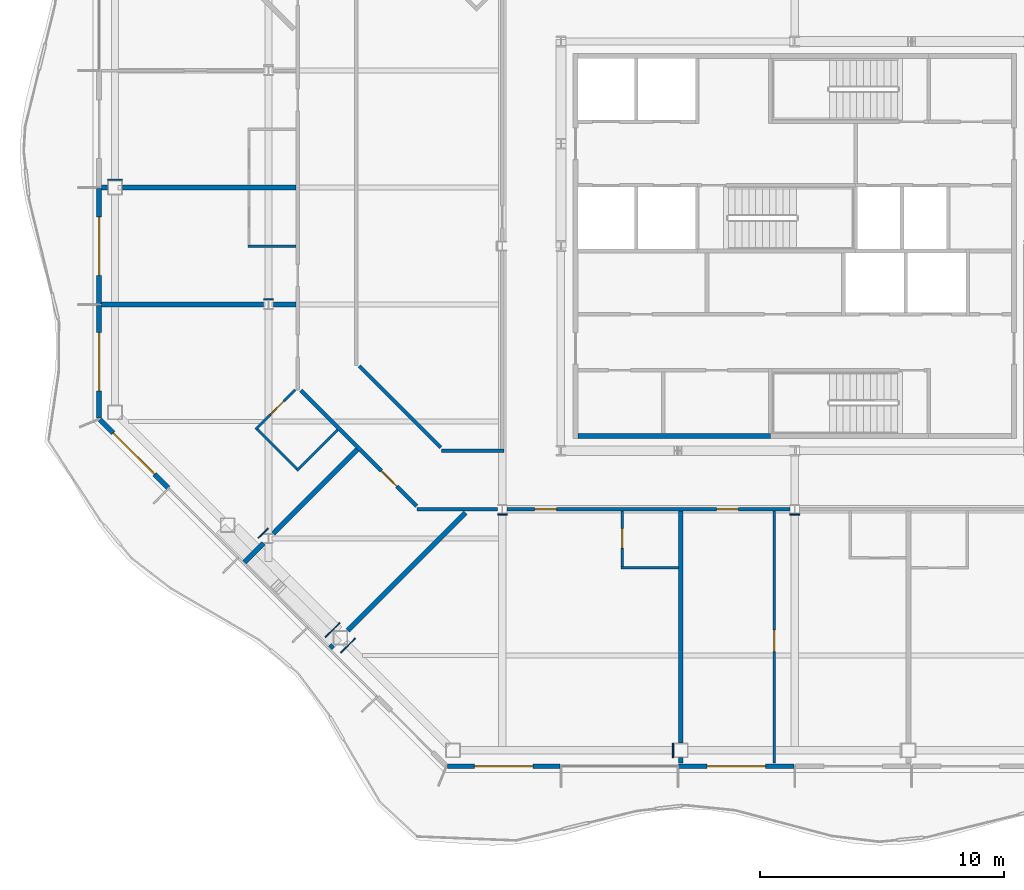
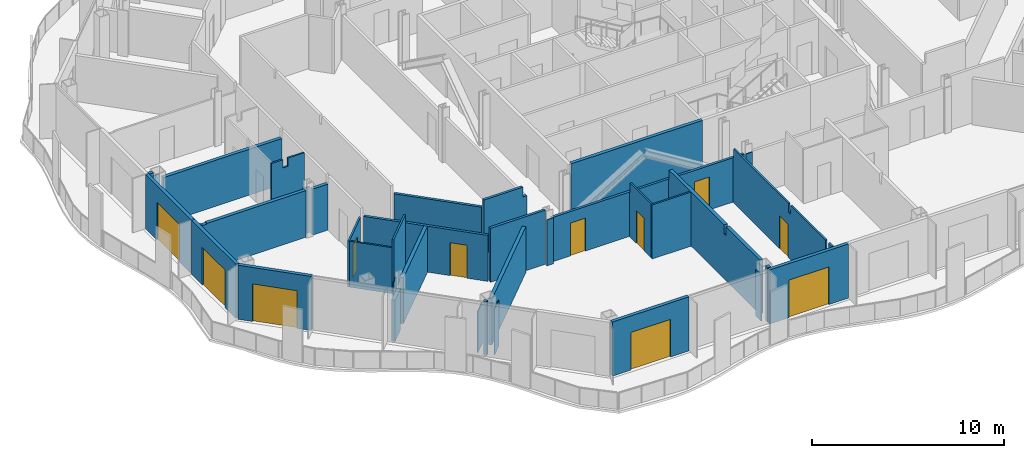
# One storey, part 7 of 20: 36 walls, 11 doors, 11 openings.
"""IFC4 building model written with IfcOpenShell, lengths in metres."""

from ifc_helpers import new_model, si_unit, direction, frame, frame_2d, origin, place, context, subcontext, project, spatial, polyline, rectangle, outline, extrude, material, layer, layer_set, type_object, element, fill, save


model = new_model("IFC4")

# Units and contexts
model_context = context("Model", 3, precision=1e-05, world=origin(), true_north=direction((0.0, 1.0)))
body_context = subcontext(model_context, "Body", "Model", "MODEL_VIEW")
ifc_project = project(units=[si_unit("LENGTHUNIT", "METRE"), si_unit("AREAUNIT", "SQUARE_METRE"), si_unit("VOLUMEUNIT", "CUBIC_METRE"), si_unit("PLANEANGLEUNIT", "RADIAN"), si_unit("MASSUNIT", "GRAM", prefix="KILO")], contexts=[model_context])

# Site, building, storey
site_placement = place(None, origin())
site = spatial("IfcSite", under=ifc_project, at=site_placement, CompositionType="ELEMENT")
building_placement = place(site_placement, origin())
building = spatial("IfcBuilding", under=site, at=building_placement, Name="Cairn Pilgrim Tower", CompositionType="ELEMENT")
storey_placement = place(building_placement, frame((0.0, 0.0, 165.0)))
storey = spatial("IfcBuildingStorey", under=building, at=storey_placement, Name="L41", CompositionType="ELEMENT", Elevation=165.0)

# Wall, opening, door
ifc_material_1 = material(Name="Bronze anodised aluminium insulated sandwich panel with mineral wool fill", Category="aluminium")
ifc_layer_1 = layer(ifc_material_1, 0.199951171875)
ifc_layer_set_1 = layer_set([ifc_layer_1], Name="BRONZE INFILL FRAME WALL 200")
wall_type_1 = type_object("IfcWallType", Name="BRONZE INFILL FRAME WALL 200", PredefinedType="NOTDEFINED", material=ifc_layer_set_1)
wall_1_placement = place(storey_placement, frame((-7.056396484375, -18.949951171875, 0.0), z_axis=(0.0, 0.0, 1.0), x_axis=(1.0, 0.0, 0.0)))
wall_1 = element("IfcWall", 1, at=wall_1_placement, inside=storey, type_object=wall_type_1, Name="Bronze infill frame wall IW-S1", PredefinedType="NOTDEFINED", context=body_context, shape_type="SweptSolid", body=[
    extrude(rectangle(XDim=4.62646484375, YDim=0.199951171875, at=frame_2d((2.313232421875, 0.0))), origin(), (0.0, 0.0, 1.0), 3.449951171875),
])
opening_1_placement = place(wall_1_placement, frame((1.1083984375, 0.0, 0.0)))
opening_1 = element("IfcOpeningElement", 2, at=opening_1_placement, cuts=wall_1, Name="Opening 4121B2", PredefinedType="OPENING", context=body_context, shape_type="SweptSolid", body=[
    extrude(rectangle(XDim=2.39990234375, YDim=2.39990234375, at=frame_2d((1.199951171875, 1.199951171875))), frame((0.0, 0.10986328125, 0.0), z_axis=(0.0, -1.0, 0.0), x_axis=(1.0, 0.0, 0.0)), (0.0, 0.0, 1.0), 0.219970703125),
])
ifc_material_2 = material(Name="Bronze anodised aluminium frame with tinted low-E glass", Category="aluminium")
door_type_1 = type_object("IfcDoorType", Name="BALCONY SLIDING DOOR 2400x2400", OperationType="DOUBLE_DOOR_SLIDING", PredefinedType="DOOR", material=ifc_material_2)
door_1_placement = place(opening_1_placement, origin())
door_1 = element("IfcDoor", 3, at=door_1_placement, inside=storey, type_object=door_type_1, Name="Balcony sliding door 4121B2", OperationType="SINGLE_SWING_LEFT", OverallHeight=2.39990234375, OverallWidth=2.39990234375, PredefinedType="DOOR", context=body_context, shape_type="SweptSolid", body=[
    extrude(rectangle(XDim=2.39990234375, YDim=2.39990234375, at=frame_2d((1.199951171875, 1.199951171875))), frame((0.0, 0.02490234375, 0.0), z_axis=(0.0, -1.0, 0.0), x_axis=(1.0, 0.0, 0.0)), (0.0, 0.0, 1.0), 0.050048828125),
])
fill(opening_1, door_1)

wall_2_placement = place(storey_placement, frame((2.429931640625, -18.949951171875, 0.0), z_axis=(0.0, 0.0, 1.0), x_axis=(1.0, 0.0, 0.0)))
wall_2 = element("IfcWall", 4, at=wall_2_placement, inside=storey, type_object=wall_type_1, Name="Bronze infill frame wall IW-S3", PredefinedType="NOTDEFINED", context=body_context, shape_type="SweptSolid", body=[
    extrude(rectangle(XDim=4.739990234375, YDim=0.199951171875, at=frame_2d((2.3701171875, 0.0))), origin(), (0.0, 0.0, 1.0), 3.449951171875),
])
opening_2_placement = place(wall_2_placement, frame((1.17041015625, 0.0, 0.0)))
opening_2 = element("IfcOpeningElement", 5, at=opening_2_placement, cuts=wall_2, Name="Opening 4122B", PredefinedType="OPENING", context=body_context, shape_type="SweptSolid", body=[
    extrude(rectangle(XDim=2.39990234375, YDim=2.39990234375, at=frame_2d((1.199951171875, 1.199951171875))), frame((0.0, 0.10986328125, 0.0), z_axis=(0.0, -1.0, 0.0), x_axis=(1.0, 0.0, 0.0)), (0.0, 0.0, 1.0), 0.219970703125),
])
door_2_placement = place(opening_2_placement, origin())
door_2 = element("IfcDoor", 6, at=door_2_placement, inside=storey, type_object=door_type_1, Name="Balcony sliding door 4122B", OperationType="SINGLE_SWING_LEFT", OverallHeight=2.39990234375, OverallWidth=2.39990234375, PredefinedType="DOOR", context=body_context, shape_type="SweptSolid", body=[
    extrude(rectangle(XDim=2.39990234375, YDim=2.39990234375, at=frame_2d((1.199951171875, 1.199951171875))), frame((0.0, 0.02490234375, 0.0), z_axis=(0.0, -1.0, 0.0), x_axis=(1.0, 0.0, 0.0)), (0.0, 0.0, 1.0), 0.050048828125),
])
fill(opening_2, door_2)

wall_3_placement = place(storey_placement, frame((-21.35009765625, 4.77001953125, 0.0), z_axis=(0.0, 0.0, 1.0), x_axis=(0.0, -1.0, 0.0)))
wall_3 = element("IfcWall", 7, at=wall_3_placement, inside=storey, type_object=wall_type_1, Name="Bronze infill frame wall IW-W3", PredefinedType="NOTDEFINED", context=body_context, shape_type="SweptSolid", body=[
    extrude(rectangle(XDim=4.739990234375, YDim=0.199951171875, at=frame_2d((2.3701171875, 0.0))), origin(), (0.0, 0.0, 1.0), 3.449951171875),
])
opening_3_placement = place(wall_3_placement, frame((1.169921875, 0.0, 0.0)))
opening_3 = element("IfcOpeningElement", 8, at=opening_3_placement, cuts=wall_3, Name="Opening 4118B", PredefinedType="OPENING", context=body_context, shape_type="SweptSolid", body=[
    extrude(rectangle(XDim=2.39990234375, YDim=2.39990234375, at=frame_2d((1.199951171875, 1.199951171875))), frame((0.0, 0.10986328125, 0.0), z_axis=(0.0, -1.0, 0.0), x_axis=(1.0, 0.0, 0.0)), (0.0, 0.0, 1.0), 0.219970703125),
])
door_3_placement = place(opening_3_placement, origin())
door_3 = element("IfcDoor", 9, at=door_3_placement, inside=storey, type_object=door_type_1, Name="Balcony sliding door 4118B", OperationType="SINGLE_SWING_LEFT", OverallHeight=2.39990234375, OverallWidth=2.39990234375, PredefinedType="DOOR", context=body_context, shape_type="SweptSolid", body=[
    extrude(rectangle(XDim=2.39990234375, YDim=2.39990234375, at=frame_2d((1.199951171875, 1.199951171875))), frame((0.0, 0.02490234375, 0.0), z_axis=(0.0, -1.0, 0.0), x_axis=(1.0, 0.0, 0.0)), (0.0, 0.0, 1.0), 0.050048828125),
])
fill(opening_3, door_3)

wall_4_placement = place(storey_placement, frame((-21.35009765625, -0.030029296875, 0.0), z_axis=(0.0, 0.0, 1.0), x_axis=(0.0, -1.0, 0.0)))
wall_4 = element("IfcWall", 10, at=wall_4_placement, inside=storey, type_object=wall_type_1, Name="Bronze infill frame wall IW-W4", PredefinedType="NOTDEFINED", context=body_context, shape_type="SweptSolid", body=[
    extrude(rectangle(XDim=4.62646484375, YDim=0.199951171875, at=frame_2d((2.313232421875, 0.0))), origin(), (0.0, 0.0, 1.0), 3.449951171875),
])
opening_4_placement = place(wall_4_placement, frame((1.117919921875, 0.0, 0.0)))
opening_4 = element("IfcOpeningElement", 11, at=opening_4_placement, cuts=wall_4, Name="Opening 4119B", PredefinedType="OPENING", context=body_context, shape_type="SweptSolid", body=[
    extrude(rectangle(XDim=2.39990234375, YDim=2.39990234375, at=frame_2d((1.199951171875, 1.199951171875))), frame((0.0, 0.10986328125, 0.0), z_axis=(0.0, -1.0, 0.0), x_axis=(1.0, 0.0, 0.0)), (0.0, 0.0, 1.0), 0.219970703125),
])
door_4_placement = place(opening_4_placement, origin())
door_4 = element("IfcDoor", 12, at=door_4_placement, inside=storey, type_object=door_type_1, Name="Balcony sliding door 4119B", OperationType="SINGLE_SWING_LEFT", OverallHeight=2.39990234375, OverallWidth=2.39990234375, PredefinedType="DOOR", context=body_context, shape_type="SweptSolid", body=[
    extrude(rectangle(XDim=2.39990234375, YDim=2.39990234375, at=frame_2d((1.199951171875, 1.199951171875))), frame((0.0, 0.02490234375, 0.0), z_axis=(0.0, -1.0, 0.0), x_axis=(1.0, 0.0, 0.0)), (0.0, 0.0, 1.0), 0.050048828125),
])
fill(opening_4, door_4)

wall_5_placement = place(storey_placement, frame((-21.32177734375, -4.724609375, 0.0), z_axis=(0.0, 0.0, 1.0), x_axis=(0.707106781187, -0.707106781187, 0.0)))
wall_5 = element("IfcWall", 13, at=wall_5_placement, inside=storey, type_object=wall_type_1, Name="Bronze infill frame wall IW-SW1", PredefinedType="NOTDEFINED", context=body_context, shape_type="SweptSolid", body=[
    extrude(rectangle(XDim=3.961669921875, YDim=0.199951171875, at=frame_2d((1.98095703125, 0.0))), origin(), (0.0, 0.0, 1.0), 3.449951171875),
])
opening_5_placement = place(wall_5_placement, frame((0.775390625, 0.0, 0.0)))
opening_5 = element("IfcOpeningElement", 14, at=opening_5_placement, cuts=wall_5, Name="Opening 4119B2", PredefinedType="OPENING", context=body_context, shape_type="SweptSolid", body=[
    extrude(rectangle(XDim=2.39990234375, YDim=2.39990234375, at=frame_2d((1.199951171875, 1.199951171875))), frame((0.0, 0.10986328125, 0.0), z_axis=(0.0, -1.0, 0.0), x_axis=(1.0, 0.0, 0.0)), (0.0, 0.0, 1.0), 0.219970703125),
])
door_5_placement = place(opening_5_placement, origin())
door_5 = element("IfcDoor", 15, at=door_5_placement, inside=storey, type_object=door_type_1, Name="Balcony sliding door 4119B2", OperationType="SINGLE_SWING_LEFT", OverallHeight=2.39990234375, OverallWidth=2.39990234375, PredefinedType="DOOR", context=body_context, shape_type="SweptSolid", body=[
    extrude(rectangle(XDim=2.39990234375, YDim=2.39990234375, at=frame_2d((1.199951171875, 1.199951171875))), frame((0.0, 0.02490234375, 0.0), z_axis=(0.0, -1.0, 0.0), x_axis=(1.0, 0.0, 0.0)), (0.0, 0.0, 1.0), 0.050048828125),
])
fill(opening_5, door_5)

# Wall
ifc_material_3 = material(Name="Concrete C32/40", Category="concrete")
ifc_layer_2 = layer(ifc_material_3, 0.199951171875)
ifc_layer_set_2 = layer_set([ifc_layer_2], Name="CORE OUTER WALL 200 EI 120")
wall_type_2 = type_object("IfcWallType", Name="CORE OUTER WALL 200 EI 120", PredefinedType="SOLIDWALL", material=ifc_layer_set_2)
wall_6_placement = place(storey_placement, frame((-1.699951171875, -5.39990234375, 0.0), z_axis=(0.0, 0.0, 1.0), x_axis=(1.0, 0.0, 0.0)))
element("IfcWall", 16, at=wall_6_placement, inside=storey, type_object=wall_type_2, Name="CW:L41:H01-1", PredefinedType="SOLIDWALL", context=body_context, shape_type="SweptSolid", body=[
    extrude(rectangle(XDim=7.89990234375, YDim=0.199951171875, at=frame_2d((3.949951171875, 0.0))), origin(), (0.0, 0.0, 1.0), 3.449951171875),
])

# Wall, opening, door
ifc_material_4 = material(Name="Gypsum partition")
ifc_layer_3 = layer(ifc_material_4, 0.10009765625)
ifc_layer_set_3 = layer_set([ifc_layer_3], Name="PARTITION 100 DRYWALL")
wall_type_3 = type_object("IfcWallType", Name="PARTITION 100 DRYWALL", PredefinedType="PARTITIONING", material=ifc_layer_set_3)
wall_7_placement = place(storey_placement, frame((6.35791015625, -18.820068359375, 0.0), z_axis=(0.0, 0.0, 1.0), x_axis=(0.0, 1.0, 0.0)))
wall_7 = element("IfcWall", 17, at=wall_7_placement, inside=storey, type_object=wall_type_3, Name="PARTITION W002", PredefinedType="PARTITIONING", context=body_context, shape_type="SweptSolid", body=[
    extrude(outline(polyline([(0.0, 0.0), (10.344970703125, 0.0), (10.344970703125, 2.830078125), (10.27001953125, 2.830078125), (10.26806640625, 3.449951171875), (4.52490234375, 3.449951171875), (4.52294921875, 2.8798828125), (4.31494140625, 2.8798828125), (4.31298828125, 3.449951171875), (0.669921875, 3.449951171875), (0.66796875, 2.929931640625), (0.3701171875, 2.929931640625), (0.367919921875, 3.449951171875), (0.0, 3.449951171875), (0.0, 0.0)])), frame((0.0, 0.050048828125, 0.0), z_axis=(0.0, -1.0, 0.0), x_axis=(1.0, 0.0, 0.0)), (0.0, 0.0, 1.0), 0.10009765625),
])
opening_6_placement = place(wall_7_placement, frame((4.570068359375, 0.0, 0.0)))
opening_6 = element("IfcOpeningElement", 18, at=opening_6_placement, cuts=wall_7, Name="Opening 4122C", PredefinedType="OPENING", context=body_context, shape_type="SweptSolid", body=[
    extrude(rectangle(XDim=0.89990234375, YDim=2.10009765625, at=frame_2d((0.449951171875, 1.050048828125))), frame((0.0, 0.06005859375, 0.0), z_axis=(0.0, -1.0, 0.0), x_axis=(1.0, 0.0, 0.0)), (0.0, 0.0, 1.0), 0.1201171875),
])
ifc_material_5 = material(Name="Timber door leaf", Category="wood")
door_type_2 = type_object("IfcDoorType", Name="SERVICE DOOR 900x2100", OperationType="NOTDEFINED", PredefinedType="DOOR", material=ifc_material_5)
door_6_placement = place(opening_6_placement, origin())
door_6 = element("IfcDoor", 19, at=door_6_placement, inside=storey, type_object=door_type_2, Name="DOOR 4122C", OperationType="SINGLE_SWING_RIGHT", OverallHeight=2.10009765625, OverallWidth=0.89990234375, PredefinedType="DOOR", context=body_context, shape_type="SweptSolid", body=[
    extrude(rectangle(XDim=0.89990234375, YDim=2.10009765625, at=frame_2d((0.449951171875, 1.050048828125))), frame((0.0, 0.02490234375, 0.0), z_axis=(0.0, -1.0, 0.0), x_axis=(1.0, 0.0, 0.0)), (0.0, 0.0, 1.0), 0.050048828125),
])
fill(opening_6, door_6)

# Wall
wall_8_placement = place(storey_placement, frame((0.073974609375, -10.800048828125, 0.0), z_axis=(0.0, 0.0, 1.0), x_axis=(1.0, 0.0, 0.0)))
element("IfcWall", 20, at=wall_8_placement, inside=storey, type_object=wall_type_3, Name="PARTITION W011", PredefinedType="PARTITIONING", context=body_context, shape_type="SweptSolid", body=[
    extrude(rectangle(XDim=2.35009765625, YDim=0.10009765625, at=frame_2d((1.175048828125, 0.0))), origin(), (0.0, 0.0, 1.0), 3.449951171875),
])

# Wall, opening, door
wall_9_placement = place(storey_placement, frame((0.1240234375, -10.75, 0.0), z_axis=(0.0, 0.0, 1.0), x_axis=(0.0, 1.0, 0.0)))
wall_9 = element("IfcWall", 21, at=wall_9_placement, inside=storey, type_object=wall_type_3, Name="PARTITION W012", PredefinedType="PARTITIONING", context=body_context, shape_type="SweptSolid", body=[
    extrude(outline(polyline([(0.0, 0.0), (2.27490234375, 0.0), (2.27490234375, 2.830078125), (2.199951171875, 2.830078125), (2.197998046875, 3.449951171875), (0.0, 3.449951171875), (0.0, 0.0)])), frame((0.0, 0.050048828125, 0.0), z_axis=(0.0, -1.0, 0.0), x_axis=(1.0, 0.0, 0.0)), (0.0, 0.0, 1.0), 0.10009765625),
])
opening_7_placement = place(wall_9_placement, frame((0.75, 0.0, 0.0)))
opening_7 = element("IfcOpeningElement", 22, at=opening_7_placement, cuts=wall_9, Name="Opening 4121A", PredefinedType="OPENING", context=body_context, shape_type="SweptSolid", body=[
    extrude(rectangle(XDim=0.800048828125, YDim=2.10009765625, at=frame_2d((0.39990234375, 1.050048828125))), frame((0.0, 0.06005859375, 0.0), z_axis=(0.0, -1.0, 0.0), x_axis=(1.0, 0.0, 0.0)), (0.0, 0.0, 1.0), 0.1201171875),
])
door_type_3 = type_object("IfcDoorType", Name="WC DOOR 800x2100", OperationType="NOTDEFINED", PredefinedType="DOOR", material=ifc_material_5)
door_7_placement = place(opening_7_placement, origin())
door_7 = element("IfcDoor", 23, at=door_7_placement, inside=storey, type_object=door_type_3, Name="DOOR 4121A", OperationType="SINGLE_SWING_RIGHT", OverallHeight=2.10009765625, OverallWidth=0.800048828125, PredefinedType="DOOR", context=body_context, shape_type="SweptSolid", body=[
    extrude(rectangle(XDim=0.800048828125, YDim=2.10009765625, at=frame_2d((0.39990234375, 1.050048828125))), frame((0.0, 0.02490234375, 0.0), z_axis=(0.0, -1.0, 0.0), x_axis=(1.0, 0.0, 0.0)), (0.0, 0.0, 1.0), 0.050048828125),
])
fill(opening_7, door_7)

# Walls
wall_10_placement = place(storey_placement, frame((-13.2353515625, -6.752685546875, 0.0), z_axis=(0.0, 0.0, 1.0), x_axis=(-0.707106781187, 0.707106781187, 0.0)))
element("IfcWall", 24, at=wall_10_placement, inside=storey, type_object=wall_type_3, Name="PARTITION W028", PredefinedType="PARTITIONING", context=body_context, shape_type="SweptSolid", body=[
    extrude(rectangle(XDim=2.2998046875, YDim=0.10009765625, at=frame_2d((1.14990234375, 0.0))), origin(), (0.0, 0.0, 1.0), 2.929931640625),
])
wall_11_placement = place(storey_placement, frame((-13.2353515625, -6.823486328125, 0.0), z_axis=(0.0, 0.0, 1.0), x_axis=(0.707106781187, 0.707106781187, 0.0)))
element("IfcWall", 25, at=wall_11_placement, inside=storey, type_object=wall_type_3, Name="PARTITION W029", PredefinedType="PARTITIONING", context=body_context, shape_type="SweptSolid", body=[
    extrude(rectangle(XDim=2.375, YDim=0.10009765625, at=frame_2d((1.1875, 0.0))), origin(), (0.0, 0.0, 1.0), 3.449951171875),
])

# Wall, opening, door
wall_12_placement = place(storey_placement, frame((-14.932373046875, -5.12646484375, 0.0), z_axis=(0.0, 0.0, 1.0), x_axis=(0.707106781187, 0.707106781187, 0.0)))
wall_12 = element("IfcWall", 26, at=wall_12_placement, inside=storey, type_object=wall_type_3, Name="PARTITION W036", PredefinedType="PARTITIONING", context=body_context, shape_type="SweptSolid", body=[
    extrude(rectangle(XDim=2.2939453125, YDim=0.10009765625, at=frame_2d((1.14697265625, 0.0))), origin(), (0.0, 0.0, 1.0), 2.929931640625),
])
opening_8_placement = place(wall_12_placement, frame((0.849853515625, 0.0, 0.0)))
opening_8 = element("IfcOpeningElement", 27, at=opening_8_placement, cuts=wall_12, Name="Opening 4119A", PredefinedType="OPENING", context=body_context, shape_type="SweptSolid", body=[
    extrude(rectangle(XDim=0.800048828125, YDim=2.10009765625, at=frame_2d((0.39990234375, 1.050048828125))), frame((0.0, 0.06005859375, 0.0), z_axis=(0.0, -1.0, 0.0), x_axis=(1.0, 0.0, 0.0)), (0.0, 0.0, 1.0), 0.1201171875),
])
door_8_placement = place(opening_8_placement, origin())
door_8 = element("IfcDoor", 28, at=door_8_placement, inside=storey, type_object=door_type_3, Name="DOOR 4119A", OperationType="SINGLE_SWING_LEFT", OverallHeight=2.10009765625, OverallWidth=0.800048828125, PredefinedType="DOOR", context=body_context, shape_type="SweptSolid", body=[
    extrude(rectangle(XDim=0.800048828125, YDim=2.10009765625, at=frame_2d((0.39990234375, 1.050048828125))), frame((0.0, 0.02490234375, 0.0), z_axis=(0.0, -1.0, 0.0), x_axis=(1.0, 0.0, 0.0)), (0.0, 0.0, 1.0), 0.050048828125),
])
fill(opening_8, door_8)

# Walls
wall_13_placement = place(storey_placement, frame((-15.25, 2.39990234375, 0.0), z_axis=(0.0, 0.0, 1.0), x_axis=(1.0, 0.0, 0.0)))
element("IfcWall", 29, at=wall_13_placement, inside=storey, type_object=wall_type_3, Name="PARTITION W047", PredefinedType="PARTITIONING", context=body_context, shape_type="SweptSolid", body=[
    extrude(outline(polyline([(0.0, 0.0), (1.97509765625, 0.0), (1.97509765625, 3.449951171875), (1.0, 3.449951171875), (0.998046875, 2.929931640625), (0.699951171875, 2.929931640625), (0.697998046875, 3.449951171875), (0.0, 3.449951171875), (0.0, 0.0)])), frame((0.0, 0.050048828125, 0.0), z_axis=(0.0, -1.0, 0.0), x_axis=(1.0, 0.0, 0.0)), (0.0, 0.0, 1.0), 0.10009765625),
])
ifc_layer_4 = layer(ifc_material_4, 0.14990234375)
ifc_layer_set_4 = layer_set([ifc_layer_4], Name="PARTITION 150 DRYWALL EI 60")
wall_type_4 = type_object("IfcWallType", Name="PARTITION 150 DRYWALL EI 60", PredefinedType="PARTITIONING", material=ifc_layer_set_4)
wall_14_placement = place(storey_placement, frame((-8.300048828125, -8.39990234375, 0.0), z_axis=(0.0, 0.0, 1.0), x_axis=(1.0, 0.0, 0.0)))
element("IfcWall", 30, at=wall_14_placement, inside=storey, type_object=wall_type_4, Name="PARTITION W021", PredefinedType="PARTITIONING", context=body_context, shape_type="SweptSolid", body=[
    extrude(rectangle(XDim=3.300537109375, YDim=0.14990234375, at=frame_2d((1.650390625, 0.0))), origin(), (0.0, 0.0, 1.0), 3.449951171875),
])

# Wall, openings, doors
wall_15_placement = place(storey_placement, frame((-4.6005859375, -8.39990234375, 0.0), z_axis=(0.0, 0.0, 1.0), x_axis=(1.0, 0.0, 0.0)))
wall_15 = element("IfcWall", 31, at=wall_15_placement, inside=storey, type_object=wall_type_4, Name="PARTITION W022", PredefinedType="PARTITIONING", context=body_context, shape_type="SweptSolid", body=[
    extrude(rectangle(XDim=11.60107421875, YDim=0.14990234375, at=frame_2d((5.800537109375, 0.0))), origin(), (0.0, 0.0, 1.0), 2.830078125),
])
opening_9_placement = place(wall_15_placement, frame((1.12451171875, 0.0, 0.0)))
opening_9 = element("IfcOpeningElement", 32, at=opening_9_placement, cuts=wall_15, Name="Opening 4121", PredefinedType="OPENING", context=body_context, shape_type="SweptSolid", body=[
    extrude(rectangle(XDim=0.89990234375, YDim=2.10009765625, at=frame_2d((0.449951171875, 1.050048828125))), frame((0.0, 0.0849609375, 0.0), z_axis=(0.0, -1.0, 0.0), x_axis=(1.0, 0.0, 0.0)), (0.0, 0.0, 1.0), 0.169921875),
])
opening_10_placement = place(wall_15_placement, frame((8.591552734375, 0.0, 0.0)))
opening_10 = element("IfcOpeningElement", 33, at=opening_10_placement, cuts=wall_15, Name="Opening 4122", PredefinedType="OPENING", context=body_context, shape_type="SweptSolid", body=[
    extrude(rectangle(XDim=0.89990234375, YDim=2.10009765625, at=frame_2d((0.449951171875, 1.050048828125))), frame((0.0, 0.0849609375, 0.0), z_axis=(0.0, -1.0, 0.0), x_axis=(1.0, 0.0, 0.0)), (0.0, 0.0, 1.0), 0.169921875),
])
door_type_4 = type_object("IfcDoorType", Name="ROOM DOOR 900x2100 FD30S", OperationType="NOTDEFINED", PredefinedType="DOOR", material=ifc_material_5)
door_9_placement = place(opening_9_placement, frame((0.89990234375, 0.0, 0.0), z_axis=(0.0, 0.0, 1.0), x_axis=(-1.0, 0.0, 0.0)))
door_9 = element("IfcDoor", 34, at=door_9_placement, inside=storey, type_object=door_type_4, Name="DOOR 4121", OperationType="SINGLE_SWING_RIGHT", OverallHeight=2.10009765625, OverallWidth=0.89990234375, PredefinedType="DOOR", context=body_context, shape_type="SweptSolid", body=[
    extrude(rectangle(XDim=0.89990234375, YDim=2.10009765625, at=frame_2d((0.449951171875, 1.050048828125))), frame((0.0, 0.02490234375, 0.0), z_axis=(0.0, -1.0, 0.0), x_axis=(1.0, 0.0, 0.0)), (0.0, 0.0, 1.0), 0.050048828125),
])
fill(opening_9, door_9)
door_10_placement = place(opening_10_placement, frame((0.89990234375, 0.0, 0.0), z_axis=(0.0, 0.0, 1.0), x_axis=(-1.0, 0.0, 0.0)))
door_10 = element("IfcDoor", 35, at=door_10_placement, inside=storey, type_object=door_type_4, Name="DOOR 4122", OperationType="SINGLE_SWING_RIGHT", OverallHeight=2.10009765625, OverallWidth=0.89990234375, PredefinedType="DOOR", context=body_context, shape_type="SweptSolid", body=[
    extrude(rectangle(XDim=0.89990234375, YDim=2.10009765625, at=frame_2d((0.449951171875, 1.050048828125))), frame((0.0, 0.02490234375, 0.0), z_axis=(0.0, -1.0, 0.0), x_axis=(1.0, 0.0, 0.0)), (0.0, 0.0, 1.0), 0.050048828125),
])
fill(opening_10, door_10)

# Wall, opening, door
wall_16_placement = place(storey_placement, frame((-8.322021484375, -8.27197265625, 0.0), z_axis=(0.0, 0.0, 1.0), x_axis=(-0.707106781187, 0.707106781187, 0.0)))
wall_16 = element("IfcWall", 36, at=wall_16_placement, inside=storey, type_object=wall_type_4, Name="PARTITION W025", PredefinedType="PARTITIONING", context=body_context, shape_type="SweptSolid", body=[
    extrude(rectangle(XDim=6.717529296875, YDim=0.14990234375, at=frame_2d((3.35888671875, 0.0))), origin(), (0.0, 0.0, 1.0), 2.929931640625),
])
opening_11_placement = place(wall_16_placement, frame((1.138916015625, 0.0, 0.0)))
opening_11 = element("IfcOpeningElement", 37, at=opening_11_placement, cuts=wall_16, Name="Opening 4120", PredefinedType="OPENING", context=body_context, shape_type="SweptSolid", body=[
    extrude(rectangle(XDim=0.89990234375, YDim=2.10009765625, at=frame_2d((0.449951171875, 1.050048828125))), frame((0.0, 0.0849609375, 0.0), z_axis=(0.0, -1.0, 0.0), x_axis=(1.0, 0.0, 0.0)), (0.0, 0.0, 1.0), 0.169921875),
])
door_type_5 = type_object("IfcDoorType", Name="SERVICE DOOR 900x2100 FD30S", OperationType="NOTDEFINED", PredefinedType="DOOR", material=ifc_material_5)
door_11_placement = place(opening_11_placement, origin())
door_11 = element("IfcDoor", 38, at=door_11_placement, inside=storey, type_object=door_type_5, Name="DOOR 4120", OperationType="SINGLE_SWING_RIGHT", OverallHeight=2.10009765625, OverallWidth=0.89990234375, PredefinedType="DOOR", context=body_context, shape_type="SweptSolid", body=[
    extrude(rectangle(XDim=0.89990234375, YDim=2.10009765625, at=frame_2d((0.449951171875, 1.050048828125))), frame((0.0, 0.02490234375, 0.0), z_axis=(0.0, -1.0, 0.0), x_axis=(1.0, 0.0, 0.0)), (0.0, 0.0, 1.0), 0.050048828125),
])
fill(opening_11, door_11)

# Walls
wall_17_placement = place(storey_placement, frame((-7.30615234375, -6.0, 0.0), z_axis=(0.0, 0.0, 1.0), x_axis=(1.0, 0.0, 0.0)))
element("IfcWall", 39, at=wall_17_placement, inside=storey, type_object=wall_type_4, Name="PARTITION W030", PredefinedType="PARTITIONING", context=body_context, shape_type="SweptSolid", body=[
    extrude(outline(polyline([(0.0, 0.0), (2.5810546875, 0.0), (2.5810546875, 2.830078125), (2.356201171875, 2.830078125), (2.35400390625, 3.449951171875), (0.0, 3.449951171875), (0.0, 0.0)])), frame((0.0, 0.074951171875, 0.0), z_axis=(0.0, -1.0, 0.0), x_axis=(1.0, 0.0, 0.0)), (0.0, 0.0, 1.0), 0.14990234375),
])
wall_18_placement = place(storey_placement, frame((-7.327880859375, -5.8720703125, 0.0), z_axis=(0.0, 0.0, 1.0), x_axis=(-0.707106781187, 0.707106781187, 0.0)))
element("IfcWall", 40, at=wall_18_placement, inside=storey, type_object=wall_type_4, Name="PARTITION W032", PredefinedType="PARTITIONING", context=body_context, shape_type="SweptSolid", body=[
    extrude(rectangle(XDim=4.72900390625, YDim=0.14990234375, at=frame_2d((2.364501953125, 0.0))), origin(), (0.0, 0.0, 1.0), 2.929931640625),
])
ifc_layer_5 = layer(ifc_material_4, 0.050048828125)
ifc_layer_set_5 = layer_set([ifc_layer_5], Name="PARTITION 50 DRYWALL EI 60")
wall_type_5 = type_object("IfcWallType", Name="PARTITION 50 DRYWALL EI 60", PredefinedType="PARTITIONING", material=ifc_layer_set_5)
wall_19_placement = place(storey_placement, frame((2.19921875, -18.60009765625, 0.0), z_axis=(0.0, 0.0, 1.0), x_axis=(0.0, 1.0, 0.0)))
element("IfcWall", 41, at=wall_19_placement, inside=storey, type_object=wall_type_5, Name="COLUMN CASING WC01", PredefinedType="PARTITIONING", context=body_context, shape_type="SweptSolid", body=[
    extrude(rectangle(XDim=0.60009765625, YDim=0.050048828125, at=frame_2d((0.300048828125, 0.0))), origin(), (0.0, 0.0, 1.0), 2.929931640625),
])
wall_20_placement = place(storey_placement, frame((-12.069091796875, -13.657958984375, 0.0), z_axis=(0.0, 0.0, 1.0), x_axis=(0.707106781187, 0.707106781187, 0.0)))
element("IfcWall", 42, at=wall_20_placement, inside=storey, type_object=wall_type_5, Name="COLUMN CASING WC03", PredefinedType="PARTITIONING", context=body_context, shape_type="SweptSolid", body=[
    extrude(rectangle(XDim=0.848388671875, YDim=0.050048828125, at=frame_2d((0.42431640625, 0.0))), origin(), (0.0, 0.0, 1.0), 2.6298828125),
])
wall_21_placement = place(storey_placement, frame((-11.433837890625, -14.29345703125, 0.0), z_axis=(0.0, 0.0, 1.0), x_axis=(0.707106781187, 0.707106781187, 0.0)))
element("IfcWall", 43, at=wall_21_placement, inside=storey, type_object=wall_type_5, Name="COLUMN CASING WC04", PredefinedType="PARTITIONING", context=body_context, shape_type="SweptSolid", body=[
    extrude(rectangle(XDim=0.8486328125, YDim=0.050048828125, at=frame_2d((0.42431640625, 0.0))), origin(), (0.0, 0.0, 1.0), 2.929931640625),
])
wall_22_placement = place(storey_placement, frame((-14.813720703125, -9.582275390625, 0.0), z_axis=(0.0, 0.0, 1.0), x_axis=(0.707106781187, 0.707106781187, 0.0)))
element("IfcWall", 44, at=wall_22_placement, inside=storey, type_object=wall_type_5, Name="COLUMN CASING WC07", PredefinedType="PARTITIONING", context=body_context, shape_type="SweptSolid", body=[
    extrude(rectangle(XDim=0.56005859375, YDim=0.050048828125, at=frame_2d((0.280029296875, 0.0))), origin(), (0.0, 0.0, 1.0), 2.929931640625),
])
for number, where, z_axis, x_axis, name in (
    (45, (-4.99951171875, -8.62158203125, 0.0), (0.0, 0.0, 1.0), (1.0, 0.0, 0.0), "COLUMN CASING WC10"),
    (46, (7.00048828125, -8.62158203125, 0.0), (0.0, 0.0, 1.0), (1.0, 0.0, 0.0), "COLUMN CASING WC11"),
):
    element("IfcWall", number, at=place(storey_placement, frame(where, z_axis=z_axis, x_axis=x_axis)), inside=storey, type_object=wall_type_5, Name=name, PredefinedType="PARTITIONING", context=body_context, shape_type="SweptSolid", body=[
        extrude(rectangle(XDim=0.39892578125, YDim=0.050048828125, at=frame_2d((0.199462890625, 0.0))), origin(), (0.0, 0.0, 1.0), 2.929931640625),
    ])
wall_23_placement = place(storey_placement, frame((-14.599609375, 0.221435546875, 0.0), z_axis=(0.0, 0.0, 1.0), x_axis=(1.0, 0.0, 0.0)))
element("IfcWall", 47, at=wall_23_placement, inside=storey, type_object=wall_type_5, Name="COLUMN CASING WC17", PredefinedType="PARTITIONING", context=body_context, shape_type="SweptSolid", body=[
    extrude(rectangle(XDim=0.399169921875, YDim=0.050048828125, at=frame_2d((0.19970703125, 0.0))), origin(), (0.0, 0.0, 1.0), 2.929931640625),
])
wall_24_placement = place(storey_placement, frame((-21.0, 5.125, 0.0), z_axis=(0.0, 0.0, 1.0), x_axis=(1.0, 0.0, 0.0)))
element("IfcWall", 48, at=wall_24_placement, inside=storey, type_object=wall_type_5, Name="COLUMN CASING WC19", PredefinedType="PARTITIONING", context=body_context, shape_type="SweptSolid", body=[
    extrude(rectangle(XDim=0.60009765625, YDim=0.050048828125, at=frame_2d((0.300048828125, 0.0))), origin(), (0.0, 0.0, 1.0), 2.929931640625),
])
ifc_layer_6 = layer(ifc_material_4, 0.199951171875)
ifc_layer_set_6 = layer_set([ifc_layer_6], Name="SHAFT WALL 200 GYPSUM EI 60")
wall_type_6 = type_object("IfcWallType", Name="SHAFT WALL 200 GYPSUM EI 60", PredefinedType="PARTITIONING", material=ifc_layer_set_6)
wall_25_placement = place(storey_placement, frame((2.52392578125, -18.820068359375, 0.0), z_axis=(0.0, 0.0, 1.0), x_axis=(0.0, 1.0, 0.0)))
element("IfcWall", 49, at=wall_25_placement, inside=storey, type_object=wall_type_6, Name="PARTITION W001", PredefinedType="PARTITIONING", context=body_context, shape_type="SweptSolid", body=[
    extrude(rectangle(XDim=0.219970703125, YDim=0.199951171875, at=frame_2d((0.10986328125, 0.0))), origin(), (0.0, 0.0, 1.0), 3.449951171875),
])
wall_26_placement = place(storey_placement, frame((2.52392578125, -18.0, 0.0), z_axis=(0.0, 0.0, 1.0), x_axis=(0.0, 1.0, 0.0)))
element("IfcWall", 50, at=wall_26_placement, inside=storey, type_object=wall_type_6, Name="PARTITION W004", PredefinedType="PARTITIONING", context=body_context, shape_type="SweptSolid", body=[
    extrude(outline(polyline([(0.0, 0.0), (9.52490234375, 0.0), (9.52490234375, 2.830078125), (9.449951171875, 2.830078125), (9.447998046875, 3.449951171875), (3.705078125, 3.449951171875), (3.702880859375, 2.8798828125), (3.4951171875, 2.8798828125), (3.492919921875, 3.449951171875), (0.0, 3.449951171875), (0.0, 0.0)])), frame((0.0, 0.10009765625, 0.0), z_axis=(0.0, -1.0, 0.0), x_axis=(1.0, 0.0, 0.0)), (0.0, 0.0, 1.0), 0.199951171875),
])
wall_27_placement = place(storey_placement, frame((-11.868896484375, -14.0927734375, 0.0), z_axis=(0.0, 0.0, 1.0), x_axis=(0.707106781187, 0.707106781187, 0.0)))
element("IfcWall", 51, at=wall_27_placement, inside=storey, type_object=wall_type_6, Name="PARTITION W006", PredefinedType="PARTITIONING", context=body_context, shape_type="SweptSolid", body=[
    extrude(rectangle(XDim=0.165771484375, YDim=0.199951171875, at=frame_2d((0.0830078125, 0.0))), origin(), (0.0, 0.0, 1.0), 3.449951171875),
])
wall_28_placement = place(storey_placement, frame((-11.151611328125, -13.37548828125, 0.0), z_axis=(0.0, 0.0, 1.0), x_axis=(0.707106781187, 0.707106781187, 0.0)))
element("IfcWall", 52, at=wall_28_placement, inside=storey, type_object=wall_type_6, Name="PARTITION W008", PredefinedType="PARTITIONING", context=body_context, shape_type="SweptSolid", body=[
    extrude(rectangle(XDim=6.830322265625, YDim=0.199951171875, at=frame_2d((3.4150390625, 0.0))), origin(), (0.0, 0.0, 1.0), 2.929931640625),
])
wall_29_placement = place(storey_placement, frame((-15.380859375, -10.580810546875, 0.0), z_axis=(0.0, 0.0, 1.0), x_axis=(0.707217034054, 0.706996511125, 0.0)))
element("IfcWall", 53, at=wall_29_placement, inside=storey, type_object=wall_type_6, Name="PARTITION W015", PredefinedType="PARTITIONING", context=body_context, shape_type="SweptSolid", body=[
    extrude(rectangle(XDim=1.107177734375, YDim=0.199951171875, at=frame_2d((0.5537109375, 0.0))), origin(), (0.0, 0.0, 1.0), 2.6298828125),
])
wall_30_placement = place(storey_placement, frame((-14.201904296875, -9.402099609375, 0.0), z_axis=(0.0, 0.0, 1.0), x_axis=(0.707081776084, 0.707131785404, 0.0)))
element("IfcWall", 54, at=wall_30_placement, inside=storey, type_object=wall_type_6, Name="PARTITION W019", PredefinedType="PARTITIONING", context=body_context, shape_type="SweptSolid", body=[
    extrude(rectangle(XDim=4.8818359375, YDim=0.199951171875, at=frame_2d((2.44091796875, 0.0))), origin(), (0.0, 0.0, 1.0), 2.929931640625),
])
wall_31_placement = place(storey_placement, frame((-21.25, 0.0, 0.0), z_axis=(0.0, 0.0, 1.0), x_axis=(1.0, 0.0, 0.0)))
element("IfcWall", 55, at=wall_31_placement, inside=storey, type_object=wall_type_6, Name="PARTITION W040", PredefinedType="PARTITIONING", context=body_context, shape_type="SweptSolid", body=[
    extrude(outline(polyline([(0.0, 0.0), (6.650390625, 0.0), (6.650390625, 2.97998046875), (0.699951171875, 2.97998046875), (0.697998046875, 2.929931640625), (0.39990234375, 2.929931640625), (0.39794921875, 2.97998046875), (0.0, 2.97998046875), (0.0, 0.0)])), frame((0.0, 0.10009765625, 0.0), z_axis=(0.0, -1.0, 0.0), x_axis=(1.0, 0.0, 0.0)), (0.0, 0.0, 1.0), 0.199951171875),
])
wall_32_placement = place(storey_placement, frame((-14.200439453125, 0.0, 0.0), z_axis=(0.0, 0.0, 1.0), x_axis=(1.0, 0.0, 0.0)))
element("IfcWall", 56, at=wall_32_placement, inside=storey, type_object=wall_type_6, Name="PARTITION W041", PredefinedType="PARTITIONING", context=body_context, shape_type="SweptSolid", body=[
    extrude(rectangle(XDim=0.925537109375, YDim=0.199951171875, at=frame_2d((0.462890625, 0.0))), origin(), (0.0, 0.0, 1.0), 2.929931640625),
])
wall_33_placement = place(storey_placement, frame((-21.25, 4.800048828125, 0.0), z_axis=(0.0, 0.0, 1.0), x_axis=(1.0, 0.0, 0.0)))
element("IfcWall", 57, at=wall_33_placement, inside=storey, type_object=wall_type_6, Name="PARTITION W055", PredefinedType="PARTITIONING", context=body_context, shape_type="SweptSolid", body=[
    extrude(rectangle(XDim=0.25, YDim=0.199951171875, at=frame_2d((0.125, 0.0))), origin(), (0.0, 0.0, 1.0), 3.449951171875),
])
wall_34_placement = place(storey_placement, frame((-20.39990234375, 4.800048828125, 0.0), z_axis=(0.0, 0.0, 1.0), x_axis=(1.0, 0.0, 0.0)))
element("IfcWall", 58, at=wall_34_placement, inside=storey, type_object=wall_type_6, Name="PARTITION W056", PredefinedType="PARTITIONING", context=body_context, shape_type="SweptSolid", body=[
    extrude(rectangle(XDim=7.125, YDim=0.199951171875, at=frame_2d((3.5625, 0.0))), origin(), (0.0, 0.0, 1.0), 2.929931640625),
])

save(model, "model.ifc")
